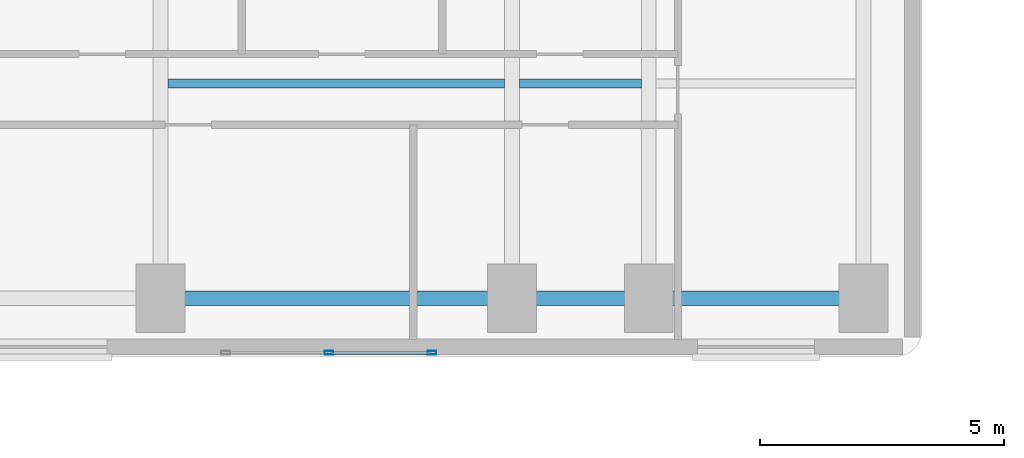
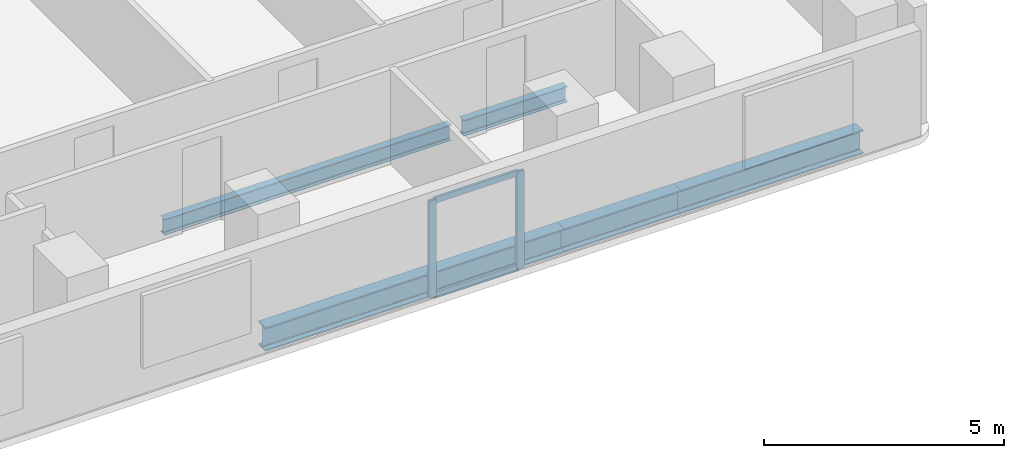
# One storey, part 6 of 17: 5 beams, 4 members, 1 element without a shape of its own.
"""IFC4 building model written with IfcOpenShell, lengths in metres."""

from ifc_helpers import new_model, si_unit, direction, frame, origin, origin_2d, place, context, subcontext, project, spatial, hollow_rectangle, i_section, extrude, material, material_profile, profile_set, type_object, element, aggregate, save


model = new_model("IFC4")

# Units and contexts
model_context = context("Model", 3, precision=1e-05, world=origin(), true_north=direction((0.0, 1.0)))
body_context = subcontext(model_context, "Body", "Model", "MODEL_VIEW")
ifc_project = project(units=[si_unit("LENGTHUNIT", "METRE"), si_unit("AREAUNIT", "SQUARE_METRE"), si_unit("VOLUMEUNIT", "CUBIC_METRE"), si_unit("PLANEANGLEUNIT", "RADIAN"), si_unit("MASSUNIT", "GRAM", prefix="KILO")], contexts=[model_context])

# Site, building, storey
site_placement = place(None, origin())
site = spatial("IfcSite", under=ifc_project, at=site_placement, CompositionType="ELEMENT")
building_placement = place(site_placement, origin())
building = spatial("IfcBuilding", under=site, at=building_placement, Name="Kuzgunbayir Cultural Tower", CompositionType="ELEMENT")
storey_placement = place(building_placement, frame((0.0, 0.0, 43.60009765625)))
storey = spatial("IfcBuildingStorey", under=building, at=storey_placement, Name="L11", CompositionType="ELEMENT", Elevation=43.60009765625)

# Beams
ifc_material_1 = material(Name="Steel S355J2", Category="steel")
ifc_material_profile_1 = material_profile(ifc_material_1, i_section(OverallWidth=0.300048828125, OverallDepth=0.60009765625, WebThickness=0.015380859375, FlangeThickness=0.030029296875, FilletRadius=0.027099609375, at=origin_2d()), Name="HEB 600")
ifc_profile_set_1 = profile_set([ifc_material_profile_1], Name="Steel S355J2")
beam_type_1 = type_object("IfcBeamType", Name="BM-EXT-HEB600", PredefinedType="BEAM", material=ifc_profile_set_1)
beam_1_placement = place(storey_placement, frame((31.199951171875, 27.60009765625, -0.47998046875), z_axis=(1.0, 0.0, 0.0), x_axis=(0.0, 1.0, 0.0)))
element("IfcBeam", 1, at=beam_1_placement, inside=storey, type_object=beam_type_1, Name="L11 Wing B South Girder 2", PredefinedType="BEAM", context=body_context, shape_type="SweptSolid", body=[
    extrude(i_section(OverallWidth=0.300048828125, OverallDepth=0.60009765625, WebThickness=0.015380859375, FlangeThickness=0.030029296875, FilletRadius=0.027099609375, at=origin_2d()), origin(), (0.0, 0.0, 1.0), 7.199951171875),
])
beam_2_placement = place(storey_placement, frame((38.39990234375, 27.60009765625, -0.47998046875), z_axis=(1.0, 0.0, 0.0), x_axis=(0.0, 1.0, 0.0)))
element("IfcBeam", 2, at=beam_2_placement, inside=storey, type_object=beam_type_1, Name="L11 Wing B South Girder 3", PredefinedType="BEAM", context=body_context, shape_type="SweptSolid", body=[
    extrude(i_section(OverallWidth=0.300048828125, OverallDepth=0.60009765625, WebThickness=0.015380859375, FlangeThickness=0.030029296875, FilletRadius=0.027099609375, at=origin_2d()), origin(), (0.0, 0.0, 1.0), 2.800048828125),
])
beam_3_placement = place(storey_placement, frame((41.199951171875, 27.60009765625, -0.47998046875), z_axis=(1.0, 0.0, 0.0), x_axis=(0.0, 1.0, 0.0)))
element("IfcBeam", 3, at=beam_3_placement, inside=storey, type_object=beam_type_1, Name="L11 Wing B South Girder 4", PredefinedType="BEAM", context=body_context, shape_type="SweptSolid", body=[
    extrude(i_section(OverallWidth=0.300048828125, OverallDepth=0.60009765625, WebThickness=0.015380859375, FlangeThickness=0.030029296875, FilletRadius=0.027099609375, at=origin_2d()), origin(), (0.0, 0.0, 1.0), 4.400146484375),
])
ifc_material_profile_2 = material_profile(ifc_material_1, i_section(OverallWidth=0.179931640625, OverallDepth=0.39990234375, WebThickness=0.008544921875, FlangeThickness=0.013427734375, FilletRadius=0.02099609375, at=origin_2d()), Name="IPE 400")
ifc_profile_set_2 = profile_set([ifc_material_profile_2], Name="Steel S355J2")
beam_type_2 = type_object("IfcBeamType", Name="BM-JST-IPE400", PredefinedType="JOIST", material=ifc_profile_set_2)
beam_4_placement = place(storey_placement, frame((31.35009765625, 32.0, -0.380126953125), z_axis=(1.0, 0.0, 0.0), x_axis=(0.0, 1.0, 0.0)))
element("IfcBeam", 4, at=beam_4_placement, inside=storey, type_object=beam_type_2, Name="L11 Wing B Secondary Joist 1.1", PredefinedType="JOIST", context=body_context, shape_type="SweptSolid", body=[
    extrude(i_section(OverallWidth=0.179931640625, OverallDepth=0.39990234375, WebThickness=0.008544921875, FlangeThickness=0.013427734375, FilletRadius=0.02099609375, at=origin_2d()), origin(), (0.0, 0.0, 1.0), 6.89990234375),
])
beam_5_placement = place(storey_placement, frame((38.550048828125, 32.0, -0.380126953125), z_axis=(1.0, 0.0, 0.0), x_axis=(0.0, 1.0, 0.0)))
element("IfcBeam", 5, at=beam_5_placement, inside=storey, type_object=beam_type_2, Name="L11 Wing B Secondary Joist 2.1", PredefinedType="JOIST", context=body_context, shape_type="SweptSolid", body=[
    extrude(i_section(OverallWidth=0.179931640625, OverallDepth=0.39990234375, WebThickness=0.008544921875, FlangeThickness=0.013427734375, FilletRadius=0.02099609375, at=origin_2d()), origin(), (0.0, 0.0, 1.0), 2.5),
])

# Curtain wall, members
ifc_material_2 = material(Name="Anodised Aluminium Framing", Category="aluminium")
curtain_wall_type = type_object("IfcCurtainWallType", Name="CW03-T1-OFFICE", PredefinedType="NOTDEFINED", material=ifc_material_2)
curtain_wall_placement = place(storey_placement, origin())
curtain_wall = element("IfcCurtainWall", 6, at=curtain_wall_placement, inside=storey, type_object=curtain_wall_type, Name="L11 Wing B South Feature Curtain Wall", PredefinedType="NOTDEFINED")
ifc_material_profile_3 = material_profile(ifc_material_2, hollow_rectangle(XDim=0.074951171875, YDim=0.179931640625, WallThickness=0.0048828125, at=origin_2d()), Name="RHS 180x75x5")
ifc_profile_set_3 = profile_set([ifc_material_profile_3], Name="Anodised Aluminium Framing")
member_type_1 = type_object("IfcMemberType", Name="MEM-CW-MULLION-180", PredefinedType="MULLION", material=ifc_profile_set_3)
member_1_placement = place(storey_placement, frame((34.64990234375, 26.47998046875, 0.0), z_axis=(0.0, 0.0, 1.0), x_axis=(0.0, 1.0, 0.0)))
member_1 = element("IfcMember", 7, at=member_1_placement, type_object=member_type_1, Name="CW03 mullion 2", PredefinedType="MULLION", context=body_context, shape_type="SweptSolid", body=[
    extrude(hollow_rectangle(XDim=0.074951171875, YDim=0.179931640625, WallThickness=0.0048828125, at=origin_2d()), origin(), (0.0, 0.0, 1.0), 2.469970703125),
])
member_2_placement = place(storey_placement, frame((36.762451171875, 26.47998046875, 0.0), z_axis=(0.0, 0.0, 1.0), x_axis=(0.0, 1.0, 0.0)))
member_2 = element("IfcMember", 8, at=member_2_placement, type_object=member_type_1, Name="CW03 mullion 3", PredefinedType="MULLION", context=body_context, shape_type="SweptSolid", body=[
    extrude(hollow_rectangle(XDim=0.074951171875, YDim=0.179931640625, WallThickness=0.0048828125, at=origin_2d()), origin(), (0.0, 0.0, 1.0), 2.469970703125),
])
ifc_material_profile_4 = material_profile(ifc_material_2, hollow_rectangle(XDim=0.06005859375, YDim=0.14990234375, WallThickness=0.00390625, at=origin_2d()), Name="RHS 150x60x4")
ifc_profile_set_4 = profile_set([ifc_material_profile_4], Name="Anodised Aluminium Framing")
member_type_2 = type_object("IfcMemberType", Name="MEM-CW-TRANSOM-150", PredefinedType="USERDEFINED", material=ifc_profile_set_4)
member_3_placement = place(storey_placement, frame((34.6875, 26.47998046875, 0.02978515625), z_axis=(1.0, 0.0, 0.0), x_axis=(0.0, 1.0, 0.0)))
member_3 = element("IfcMember", 9, at=member_3_placement, type_object=member_type_2, Name="CW03 transom 2.1", ObjectType="TRANSOM", PredefinedType="USERDEFINED", context=body_context, shape_type="SweptSolid", body=[
    extrude(hollow_rectangle(XDim=0.06005859375, YDim=0.14990234375, WallThickness=0.00390625, at=origin_2d()), origin(), (0.0, 0.0, 1.0), 2.03759765625),
])
member_4_placement = place(storey_placement, frame((34.6875, 26.47998046875, 2.43994140625), z_axis=(1.0, 0.0, 0.0), x_axis=(0.0, 1.0, 0.0)))
member_4 = element("IfcMember", 10, at=member_4_placement, type_object=member_type_2, Name="CW03 transom 2.2", ObjectType="TRANSOM", PredefinedType="USERDEFINED", context=body_context, shape_type="SweptSolid", body=[
    extrude(hollow_rectangle(XDim=0.06005859375, YDim=0.14990234375, WallThickness=0.00390625, at=origin_2d()), origin(), (0.0, 0.0, 1.0), 2.03759765625),
])
aggregate(curtain_wall, [member_1, member_2, member_3, member_4])

save(model, "model.ifc")
